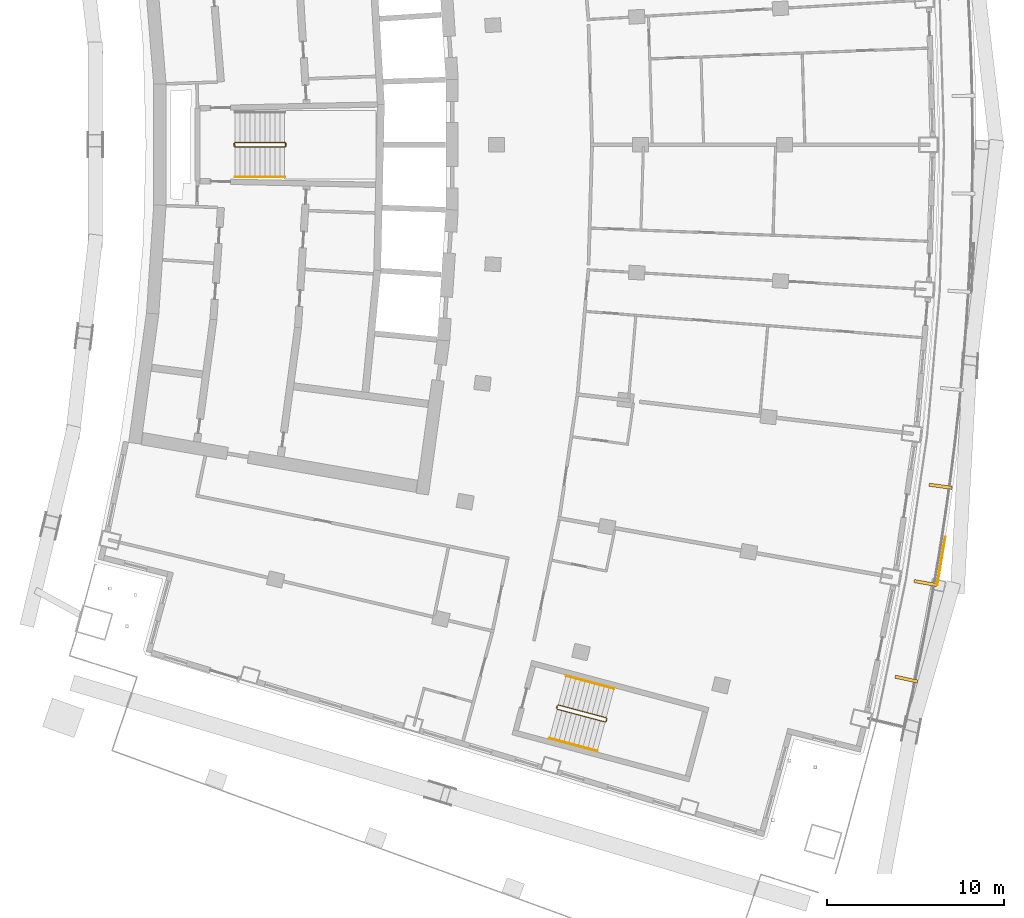
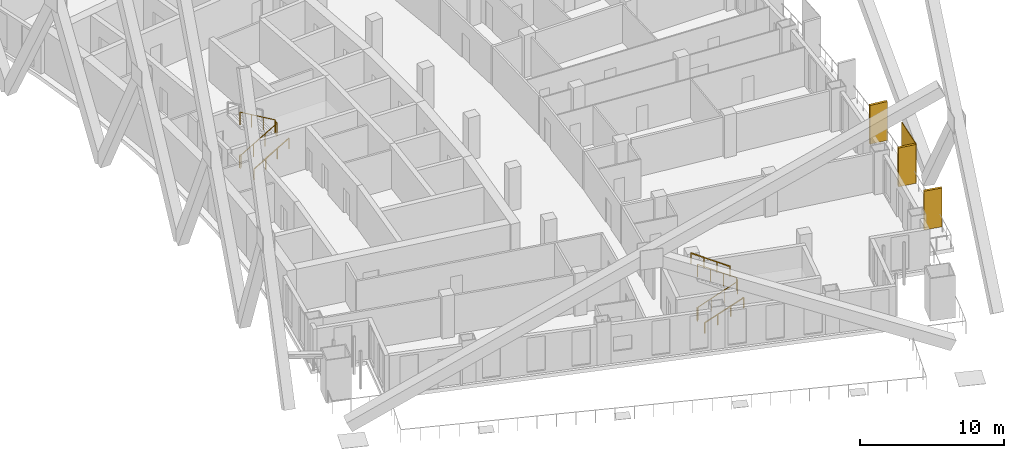
# One storey, part 18 of 20: 5 railings, 4 shading devices.
"""IFC4 building model written with IfcOpenShell, lengths in metres."""

from ifc_helpers import new_model, si_unit, direction, frame, origin, origin_with_axes, origin_2d, place, context, subcontext, project, spatial, rectangle, extrude, material, layer, layer_set, type_object, element, save


model = new_model("IFC4")

# Units and contexts
model_context = context("Model", 3, precision=1e-05, world=origin(), true_north=direction((0.0, 1.0)))
body_context = subcontext(model_context, "Body", "Model", "MODEL_VIEW")
ifc_project = project(units=[si_unit("LENGTHUNIT", "METRE"), si_unit("AREAUNIT", "SQUARE_METRE"), si_unit("VOLUMEUNIT", "CUBIC_METRE"), si_unit("PLANEANGLEUNIT", "RADIAN"), si_unit("MASSUNIT", "GRAM", prefix="KILO")], contexts=[model_context])

# Site, building, storey
site_placement = place(None, origin())
site = spatial("IfcSite", under=ifc_project, at=site_placement, CompositionType="ELEMENT")
building_placement = place(site_placement, origin())
building = spatial("IfcBuilding", under=site, at=building_placement, Name="Alderwake Tower", CompositionType="ELEMENT")
storey_placement = place(building_placement, frame((0.0, 0.0, 138.800048828125)))
storey = spatial("IfcBuildingStorey", under=building, at=storey_placement, Name="L33", CompositionType="ELEMENT", Elevation=138.800048828125)

# Shading devices
ifc_material_1 = material(Name="Bronze anodised aluminium", Category="aluminium")
ifc_layer_1 = layer(ifc_material_1, 0.179931640625)
ifc_layer_set_1 = layer_set([ifc_layer_1], Name="Facade fin 1300")
shading_device_type_1 = type_object("IfcShadingDeviceType", Name="Facade fin 1300", PredefinedType="USERDEFINED", material=ifc_layer_set_1)
for number, where, z_axis, x_axis, name in (
    (1, (58.959228515625, 30.814697265625, 0.0), (0.0, 0.0, 1.0), (0.977210363881, -0.212273184185, 0.0), "Fin"),
    (2, (60.028076171875, 36.24169921875, 0.0), (0.0, 0.0, 1.0), (0.984726421654, -0.174108800747, 0.0), "Fin"),
    (3, (60.885009765625, 41.706298828125, 0.0), (0.0, 0.0, 1.0), (0.990752577235, -0.135680988728, 0.0), "Fin"),
):
    element("IfcShadingDevice", number, at=place(storey_placement, frame(where, z_axis=z_axis, x_axis=x_axis)), inside=storey, type_object=shading_device_type_1, Name=name, ObjectType="FIN", PredefinedType="USERDEFINED", context=body_context, shape_type="SweptSolid", body=[
        extrude(rectangle(XDim=1.300048828125, YDim=0.179931640625, at=origin_2d()), origin(), (0.0, 0.0, 1.0), 3.280029296875),
    ])
ifc_material_2 = material(Name="Perforated bronze anodised aluminium", Category="aluminium")
ifc_layer_2 = layer(ifc_material_2, 0.050048828125)
ifc_layer_set_2 = layer_set([ifc_layer_2], Name="Perforated screen panel")
shading_device_type_2 = type_object("IfcShadingDeviceType", Name="Perforated screen panel", PredefinedType="USERDEFINED", material=ifc_layer_set_2)
shading_device_placement = place(storey_placement, frame((60.9208984375, 37.4912109375, 0.0), z_axis=(0.0, 0.0, 1.0), x_axis=(0.986369013299, -0.164548380739, 0.0)))
element("IfcShadingDevice", 4, at=shading_device_placement, inside=storey, type_object=shading_device_type_2, Name="Screen panel", ObjectType="SCREEN", PredefinedType="USERDEFINED", context=body_context, shape_type="SweptSolid", body=[
    extrude(rectangle(XDim=0.050048828125, YDim=2.771728515625, at=origin_2d()), origin(), (0.0, 0.0, 1.0), 3.280029296875),
])

# Railings
ifc_material_3 = material(Name="Stainless steel guard", Category="steel")
railing_type_1 = type_object("IfcRailingType", Name="Stair guard 1100", PredefinedType="GUARDRAIL", material=ifc_material_3)
railing_1_placement = place(storey_placement, frame((20.989990234375, 60.925048828125, 0.0)))
element("IfcRailing", 5, at=railing_1_placement, inside=storey, type_object=railing_type_1, Name="L33 ST-B stair guard 1", PredefinedType="GUARDRAIL", context=body_context, shape_type="SweptSolid", body=[
    extrude(rectangle(XDim=0.048095703125, YDim=0.048095703125, at=origin_2d()), frame((0.0, 0.0, 1.076171875), z_axis=(0.0, 1.0, 0.0), x_axis=(-1.0, 0.0, 0.0)), (0.0, 0.0, 1.0), 0.14990234375),
    extrude(rectangle(XDim=0.048095703125, YDim=0.048095703125, at=origin_2d()), frame((0.0, 0.14990234375, 1.076171875), z_axis=(0.190199549216, -0.759870394187, 0.621627795), x_axis=(0.970072785993, 0.242814311512, 0.0)), (0.0, 0.0, 1.0), 0.26318359375),
    extrude(rectangle(XDim=0.048095703125, YDim=0.048095703125, at=origin_2d()), frame((0.050048828125, -0.050048828125, 1.23974609375), z_axis=(0.863360870873, 0.0, 0.504586966384), x_axis=(0.0, 1.0, 0.0)), (0.0, 0.0, 1.0), 3.2431640625),
    extrude(rectangle(XDim=0.048095703125, YDim=0.048095703125, at=origin_2d()), frame((2.85009765625, -0.050048828125, 2.8759765625), z_axis=(0.705375805398, 0.708833529934, 0.0), x_axis=(-0.708833529934, 0.705375805398, 0.0)), (0.0, 0.0, 1.0), 0.070556640625),
    extrude(rectangle(XDim=0.048095703125, YDim=0.048095703125, at=origin_2d()), frame((2.89990234375, 0.0, 2.8759765625), z_axis=(0.0, 1.0, 0.0), x_axis=(-1.0, 0.0, 0.0)), (0.0, 0.0, 1.0), 0.14990234375),
    extrude(rectangle(XDim=0.048095703125, YDim=0.048095703125, at=origin_2d()), frame((2.89990234375, 0.14990234375, 2.8759765625), z_axis=(-0.279546231943, 0.280916556609, 0.91811752648), x_axis=(-0.708833529934, -0.705375805398, 0.0)), (0.0, 0.0, 1.0), 0.17822265625),
    extrude(rectangle(XDim=0.048095703125, YDim=0.048095703125, at=origin_2d()), frame((2.85009765625, 0.199951171875, 3.03955078125), z_axis=(-0.863393664356, 0.0, 0.504530851732), x_axis=(0.0, -1.0, 0.0)), (0.0, 0.0, 1.0), 3.2431640625),
    extrude(rectangle(XDim=0.0419921875, YDim=0.0419921875, at=origin_2d()), frame((0.0, 0.0, 0.0), z_axis=(0.0, 0.0, 1.0), x_axis=(0.0, 1.0, 0.0)), (0.0, 0.0, 1.0), 1.052001953125),
    extrude(rectangle(XDim=0.0419921875, YDim=0.0419921875, at=origin_2d()), frame((0.0, 0.14990234375, 0.0), z_axis=(0.0, 0.0, 1.0), x_axis=(0.242814311512, -0.970072785993, 0.0)), (0.0, 0.0, 1.0), 1.052001953125),
    extrude(rectangle(XDim=0.0419921875, YDim=0.0419921875, at=origin_2d()), frame((0.050048828125, -0.050048828125, 0.16357421875), z_axis=(0.0, 0.0, 1.0), x_axis=(1.0, 0.0, 0.0)), (0.0, 0.0, 1.0), 1.052001953125),
    extrude(rectangle(XDim=0.0419921875, YDim=0.0419921875, at=origin_2d()), frame((0.9833984375, -0.050048828125, 0.708984375), z_axis=(0.0, 0.0, 1.0), x_axis=(1.0, 0.0, 0.0)), (0.0, 0.0, 1.0), 1.052001953125),
    extrude(rectangle(XDim=0.0419921875, YDim=0.0419921875, at=origin_2d()), frame((1.916748046875, -0.050048828125, 1.254638671875), z_axis=(0.0, 0.0, 1.0), x_axis=(1.0, 0.0, 0.0)), (0.0, 0.0, 1.0), 1.052001953125),
    extrude(rectangle(XDim=0.0419921875, YDim=0.0419921875, at=origin_2d()), frame((2.85009765625, -0.050048828125, 1.800048828125), z_axis=(0.0, 0.0, 1.0), x_axis=(0.705375805398, 0.708833529934, 0.0)), (0.0, 0.0, 1.0), 1.052001953125),
    extrude(rectangle(XDim=0.0419921875, YDim=0.0419921875, at=origin_2d()), frame((2.89990234375, 0.0, 1.800048828125), z_axis=(0.0, 0.0, 1.0), x_axis=(0.0, 1.0, 0.0)), (0.0, 0.0, 1.0), 1.052001953125),
    extrude(rectangle(XDim=0.0419921875, YDim=0.0419921875, at=origin_2d()), frame((2.89990234375, 0.14990234375, 1.800048828125), z_axis=(0.0, 0.0, 1.0), x_axis=(-0.705375805398, 0.708833529934, 0.0)), (0.0, 0.0, 1.0), 1.052001953125),
    extrude(rectangle(XDim=0.0419921875, YDim=0.0419921875, at=origin_2d()), frame((2.85009765625, 0.199951171875, 1.963623046875), z_axis=(0.0, 0.0, 1.0), x_axis=(-1.0, 0.0, 0.0)), (0.0, 0.0, 1.0), 1.052001953125),
    extrude(rectangle(XDim=0.0419921875, YDim=0.0419921875, at=origin_2d()), frame((1.916748046875, 0.199951171875, 2.509033203125), z_axis=(0.0, 0.0, 1.0), x_axis=(-1.0, 0.0, 0.0)), (0.0, 0.0, 1.0), 1.052001953125),
    extrude(rectangle(XDim=0.0419921875, YDim=0.0419921875, at=origin_2d()), frame((0.9833984375, 0.199951171875, 3.054443359375), z_axis=(0.0, 0.0, 1.0), x_axis=(-1.0, 0.0, 0.0)), (0.0, 0.0, 1.0), 1.052001953125),
    extrude(rectangle(XDim=0.0419921875, YDim=0.0419921875, at=origin_2d()), frame((0.050048828125, 0.199951171875, 3.599853515625), z_axis=(0.0, 0.0, 1.0), x_axis=(-1.0, 0.0, 0.0)), (0.0, 0.0, 1.0), 1.052001953125),
])
railing_2_placement = place(storey_placement, frame((39.1943359375, 29.17431640625, 0.0)))
element("IfcRailing", 6, at=railing_2_placement, inside=storey, type_object=railing_type_1, Name="L33 ST-C stair guard 1", PredefinedType="GUARDRAIL", context=body_context, shape_type="SweptSolid", body=[
    extrude(rectangle(XDim=0.048095703125, YDim=0.048095703125, at=origin_2d()), frame((0.0, 0.0, 1.076171875), z_axis=(0.257459803502, 0.966289009345, 0.0), x_axis=(-0.966289009345, 0.257459803502, 0.0)), (0.0, 0.0, 1.0), 0.14990234375),
    extrude(rectangle(XDim=0.048095703125, YDim=0.048095703125, at=origin_2d()), frame((0.03857421875, 0.144775390625, 1.076171875), z_axis=(-0.012062893862, -0.783160186125, 0.621702991355), x_axis=(0.999881397308, -0.015401016783, 0.0)), (0.0, 0.0, 1.0), 0.26318359375),
    extrude(rectangle(XDim=0.048095703125, YDim=0.048095703125, at=origin_2d()), frame((0.035400390625, -0.061279296875, 1.23974609375), z_axis=(0.834281824786, -0.222214197128, 0.504573768072), x_axis=(0.257380452725, 0.966310148221, 0.0)), (0.0, 0.0, 1.0), 3.2431640625),
    extrude(rectangle(XDim=0.048095703125, YDim=0.048095703125, at=origin_2d()), frame((2.7412109375, -0.781982421875, 2.8759765625), z_axis=(0.865031189262, 0.501718089772, 0.0), x_axis=(-0.501718089772, 0.865031189262, 0.0)), (0.0, 0.0, 1.0), 0.070556640625),
    extrude(rectangle(XDim=0.048095703125, YDim=0.048095703125, at=origin_2d()), frame((2.80224609375, -0.74658203125, 2.8759765625), z_axis=(0.257055032184, 0.966396766566, 0.0), x_axis=(-0.966396766566, 0.257055032184, 0.0)), (0.0, 0.0, 1.0), 0.150146484375),
    extrude(rectangle(XDim=0.048095703125, YDim=0.048095703125, at=origin_2d()), frame((2.8408203125, -0.6015625, 2.8759765625), z_axis=(-0.198625291617, 0.343827228937, 0.91778583023), x_axis=(-0.865898279276, -0.500220121494, 0.0)), (0.0, 0.0, 1.0), 0.17822265625),
    extrude(rectangle(XDim=0.048095703125, YDim=0.048095703125, at=origin_2d()), frame((2.805419921875, -0.540283203125, 3.03955078125), z_axis=(-0.834290631165, 0.222236594766, 0.504549342183), x_axis=(-0.257402139082, -0.966304371715, 0.0)), (0.0, 0.0, 1.0), 3.242919921875),
    extrude(rectangle(XDim=0.0419921875, YDim=0.0419921875, at=origin_2d()), frame((0.0, 0.0, 0.0), z_axis=(0.0, 0.0, 1.0), x_axis=(0.257459803502, 0.966289009345, 0.0)), (0.0, 0.0, 1.0), 1.052001953125),
    extrude(rectangle(XDim=0.0419921875, YDim=0.0419921875, at=origin_2d()), frame((0.03857421875, 0.144775390625, 0.0), z_axis=(0.0, 0.0, 1.0), x_axis=(-0.015401016783, -0.999881397308, 0.0)), (0.0, 0.0, 1.0), 1.052001953125),
    extrude(rectangle(XDim=0.0419921875, YDim=0.0419921875, at=origin_2d()), frame((0.035400390625, -0.061279296875, 0.16357421875), z_axis=(0.0, 0.0, 1.0), x_axis=(0.966310148221, -0.257380452725, 0.0)), (0.0, 0.0, 1.0), 1.052001953125),
    extrude(rectangle(XDim=0.0419921875, YDim=0.0419921875, at=origin_2d()), frame((0.937255859375, -0.301513671875, 0.708984375), z_axis=(0.0, 0.0, 1.0), x_axis=(0.966310148221, -0.257380452725, 0.0)), (0.0, 0.0, 1.0), 1.052001953125),
    extrude(rectangle(XDim=0.0419921875, YDim=0.0419921875, at=origin_2d()), frame((1.83935546875, -0.541748046875, 1.254638671875), z_axis=(0.0, 0.0, 1.0), x_axis=(0.966310148221, -0.257380452725, 0.0)), (0.0, 0.0, 1.0), 1.052001953125),
    extrude(rectangle(XDim=0.0419921875, YDim=0.0419921875, at=origin_2d()), frame((2.7412109375, -0.781982421875, 1.800048828125), z_axis=(0.0, 0.0, 1.0), x_axis=(0.865031189262, 0.501718089772, 0.0)), (0.0, 0.0, 1.0), 1.052001953125),
    extrude(rectangle(XDim=0.0419921875, YDim=0.0419921875, at=origin_2d()), frame((2.80224609375, -0.74658203125, 1.800048828125), z_axis=(0.0, 0.0, 1.0), x_axis=(0.257055032184, 0.966396766566, 0.0)), (0.0, 0.0, 1.0), 1.052001953125),
    extrude(rectangle(XDim=0.0419921875, YDim=0.0419921875, at=origin_2d()), frame((2.8408203125, -0.6015625, 1.800048828125), z_axis=(0.0, 0.0, 1.0), x_axis=(-0.500220121494, 0.865898279276, 0.0)), (0.0, 0.0, 1.0), 1.052001953125),
    extrude(rectangle(XDim=0.0419921875, YDim=0.0419921875, at=origin_2d()), frame((2.805419921875, -0.540283203125, 1.963623046875), z_axis=(0.0, 0.0, 1.0), x_axis=(-0.966304371715, 0.257402139082, 0.0)), (0.0, 0.0, 1.0), 1.052001953125),
    extrude(rectangle(XDim=0.0419921875, YDim=0.0419921875, at=origin_2d()), frame((1.903564453125, -0.300048828125, 2.509033203125), z_axis=(0.0, 0.0, 1.0), x_axis=(-0.966304371715, 0.257402139082, 0.0)), (0.0, 0.0, 1.0), 1.052001953125),
    extrude(rectangle(XDim=0.0419921875, YDim=0.0419921875, at=origin_2d()), frame((1.001708984375, -0.059814453125, 3.054443359375), z_axis=(0.0, 0.0, 1.0), x_axis=(-0.966304371715, 0.257402139082, 0.0)), (0.0, 0.0, 1.0), 1.052001953125),
    extrude(rectangle(XDim=0.0419921875, YDim=0.0419921875, at=origin_2d()), frame((0.099853515625, 0.180419921875, 3.599853515625), z_axis=(0.0, 0.0, 1.0), x_axis=(-0.966304371715, 0.257402139082, 0.0)), (0.0, 0.0, 1.0), 1.052001953125),
])
ifc_material_4 = material(Name="Stainless steel handrail", Category="steel")
railing_type_2 = type_object("IfcRailingType", Name="Stair handrail 900", PredefinedType="HANDRAIL", material=ifc_material_4)
railing_3_placement = place(storey_placement, frame((21.0400390625, 59.175048828125, 0.16357421875)))
element("IfcRailing", 7, at=railing_3_placement, inside=storey, type_object=railing_type_2, Name="L33 ST-B stair handrail 1", PredefinedType="HANDRAIL", context=body_context, shape_type="SweptSolid", body=[
    extrude(rectangle(XDim=0.048095703125, YDim=0.048095703125, at=origin_2d()), frame((0.0, 0.0, 0.8759765625), z_axis=(0.863360870873, 0.0, 0.504586966384), x_axis=(0.0, 1.0, 0.0)), (0.0, 0.0, 1.0), 3.2431640625),
    extrude(rectangle(XDim=0.0419921875, YDim=0.0419921875, at=origin_2d()), origin_with_axes(), (0.0, 0.0, 1.0), 0.851806640625),
    extrude(rectangle(XDim=0.0419921875, YDim=0.0419921875, at=origin_2d()), frame((0.933349609375, 0.0, 0.54541015625), z_axis=(0.0, 0.0, 1.0), x_axis=(1.0, 0.0, 0.0)), (0.0, 0.0, 1.0), 0.851806640625),
    extrude(rectangle(XDim=0.0419921875, YDim=0.0419921875, at=origin_2d()), frame((1.86669921875, 0.0, 1.091064453125), z_axis=(0.0, 0.0, 1.0), x_axis=(1.0, 0.0, 0.0)), (0.0, 0.0, 1.0), 0.851806640625),
    extrude(rectangle(XDim=0.0419921875, YDim=0.0419921875, at=origin_2d()), frame((2.800048828125, 0.0, 1.636474609375), z_axis=(0.0, 0.0, 1.0), x_axis=(1.0, 0.0, 0.0)), (0.0, 0.0, 1.0), 0.851806640625),
])
railing_4_placement = place(storey_placement, frame((38.792236328125, 27.47021484375, 0.16357421875)))
element("IfcRailing", 8, at=railing_4_placement, inside=storey, type_object=railing_type_2, Name="L33 ST-C stair handrail 1", PredefinedType="HANDRAIL", context=body_context, shape_type="SweptSolid", body=[
    extrude(rectangle(XDim=0.048095703125, YDim=0.048095703125, at=origin_2d()), frame((0.0, 0.0, 0.8759765625), z_axis=(0.834272895437, -0.222156588561, 0.504613898043), x_axis=(0.25732071773, 0.966326056891, 0.0)), (0.0, 0.0, 1.0), 3.242919921875),
    extrude(rectangle(XDim=0.0419921875, YDim=0.0419921875, at=origin_2d()), frame((0.0, 0.0, 0.0), z_axis=(0.0, 0.0, 1.0), x_axis=(0.966326056891, -0.25732071773, 0.0)), (0.0, 0.0, 1.0), 0.851806640625),
    extrude(rectangle(XDim=0.0419921875, YDim=0.0419921875, at=origin_2d()), frame((0.90185546875, -0.240234375, 0.54541015625), z_axis=(0.0, 0.0, 1.0), x_axis=(0.966326056891, -0.25732071773, 0.0)), (0.0, 0.0, 1.0), 0.851806640625),
    extrude(rectangle(XDim=0.0419921875, YDim=0.0419921875, at=origin_2d()), frame((1.8037109375, -0.480224609375, 1.091064453125), z_axis=(0.0, 0.0, 1.0), x_axis=(0.966326056891, -0.25732071773, 0.0)), (0.0, 0.0, 1.0), 0.851806640625),
    extrude(rectangle(XDim=0.0419921875, YDim=0.0419921875, at=origin_2d()), frame((2.70556640625, -0.720458984375, 1.636474609375), z_axis=(0.0, 0.0, 1.0), x_axis=(0.966326056891, -0.25732071773, 0.0)), (0.0, 0.0, 1.0), 0.851806640625),
])
railing_5_placement = place(storey_placement, frame((42.437255859375, 30.276611328125, 1.963623046875)))
element("IfcRailing", 9, at=railing_5_placement, inside=storey, type_object=railing_type_2, Name="L33 ST-C stair handrail 2", PredefinedType="HANDRAIL", context=body_context, shape_type="SweptSolid", body=[
    extrude(rectangle(XDim=0.048095703125, YDim=0.048095703125, at=origin_2d()), frame((0.0, 0.0, 0.8759765625), z_axis=(-0.834290631165, 0.222236594766, 0.504549342183), x_axis=(-0.257402139082, -0.966304371715, 0.0)), (0.0, 0.0, 1.0), 3.242919921875),
    extrude(rectangle(XDim=0.0419921875, YDim=0.0419921875, at=origin_2d()), frame((0.0, 0.0, 0.0), z_axis=(0.0, 0.0, 1.0), x_axis=(-0.966304371715, 0.257402139082, 0.0)), (0.0, 0.0, 1.0), 0.851806640625),
    extrude(rectangle(XDim=0.0419921875, YDim=0.0419921875, at=origin_2d()), frame((-0.90185546875, 0.240234375, 0.54541015625), z_axis=(0.0, 0.0, 1.0), x_axis=(-0.966304371715, 0.257402139082, 0.0)), (0.0, 0.0, 1.0), 0.851806640625),
    extrude(rectangle(XDim=0.0419921875, YDim=0.0419921875, at=origin_2d()), frame((-1.8037109375, 0.48046875, 1.0908203125), z_axis=(0.0, 0.0, 1.0), x_axis=(-0.966304371715, 0.257402139082, 0.0)), (0.0, 0.0, 1.0), 0.851806640625),
    extrude(rectangle(XDim=0.0419921875, YDim=0.0419921875, at=origin_2d()), frame((-2.70556640625, 0.720703125, 1.63623046875), z_axis=(0.0, 0.0, 1.0), x_axis=(-0.966304371715, 0.257402139082, 0.0)), (0.0, 0.0, 1.0), 0.851806640625),
])

save(model, "model.ifc")
